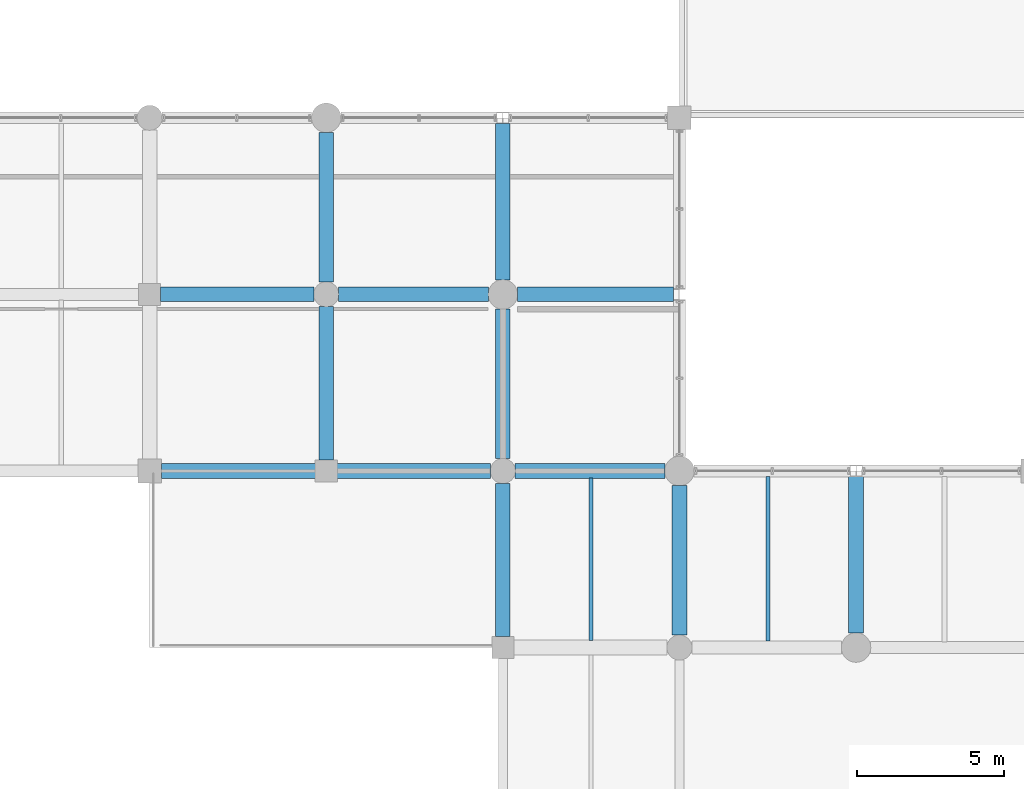
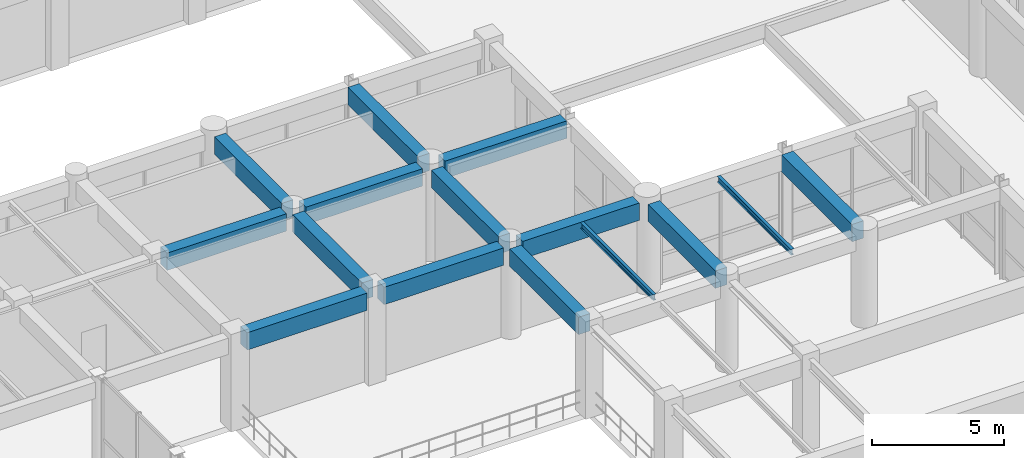
# One storey, part 70 of 133: 15 beams.
"""IFC4 building model written with IfcOpenShell, lengths in metres."""

from ifc_helpers import new_model, si_unit, direction, frame, origin, origin_2d, place, context, subcontext, project, spatial, rectangle, i_section, extrude, material, material_profile, profile_set, type_object, element, save


model = new_model("IFC4")

# Units and contexts
model_context = context("Model", 3, precision=1e-05, world=origin(), true_north=direction((0.0, 1.0)))
body_context = subcontext(model_context, "Body", "Model", "MODEL_VIEW")
ifc_project = project(units=[si_unit("LENGTHUNIT", "METRE"), si_unit("AREAUNIT", "SQUARE_METRE"), si_unit("VOLUMEUNIT", "CUBIC_METRE"), si_unit("PLANEANGLEUNIT", "RADIAN"), si_unit("MASSUNIT", "GRAM", prefix="KILO"), si_unit("THERMODYNAMICTEMPERATUREUNIT", "KELVIN"), si_unit("POWERUNIT", "WATT")], contexts=[model_context])

# Site, building, storey
site_placement = place(None, origin())
site = spatial("IfcSite", under=ifc_project, at=site_placement, CompositionType="ELEMENT")
building_placement = place(site_placement, origin())
building = spatial("IfcBuilding", under=site, at=building_placement, Name="Phaisarnlok Congress Hotel", CompositionType="ELEMENT")
storey_placement = place(building_placement, frame((0.0, 0.0, 6.0)))
storey = spatial("IfcBuildingStorey", under=building, at=storey_placement, Name="L01", CompositionType="ELEMENT", Elevation=6.0)

# Beams
ifc_material_1 = material(Name="Concrete C40/50", Category="concrete")
ifc_material_profile_1 = material_profile(ifc_material_1, rectangle(XDim=0.5, YDim=0.800048828125, at=origin_2d()), Name="RC 500x800")
ifc_profile_set_1 = profile_set([ifc_material_profile_1], Name="Concrete C40/50")
beam_type_1 = type_object("IfcBeamType", Name="BM-RC-500x800", PredefinedType="BEAM", material=ifc_profile_set_1)
beam_1_placement = place(storey_placement, frame((126.39501953125, 84.0, 3.820068359375), z_axis=(1.0, 0.0, 0.0), x_axis=(0.0, 1.0, 0.0)))
element("IfcBeam", 1, at=beam_1_placement, inside=storey, type_object=beam_type_1, Name="Beam B-04", PredefinedType="BEAM", context=body_context, shape_type="SweptSolid", body=[
    extrude(rectangle(XDim=0.5, YDim=0.800048828125, at=origin_2d()), origin(), (0.0, 0.0, 1.0), 5.23486328125),
])
for number, where, z_axis, x_axis, name in (
    (2, (126.3701171875, 90.0, 3.860107421875), (1.0, 0.0, 0.0), (0.0, 1.0, 0.0), "Beam B-04"),
    (3, (132.3701171875, 84.0, 3.820068359375), (1.0, 0.0, 0.0), (0.0, 1.0, 0.0), "Beam B-04"),
    (4, (132.0, 84.3701171875, 3.860107421875), (0.0, 1.0, 0.0), (-1.0, 0.0, 0.0), "Beam B-04"),
):
    element("IfcBeam", number, at=place(storey_placement, frame(where, z_axis=z_axis, x_axis=x_axis)), inside=storey, type_object=beam_type_1, Name=name, PredefinedType="BEAM", context=body_context, shape_type="SweptSolid", body=[
        extrude(rectangle(XDim=0.5, YDim=0.800048828125, at=origin_2d()), origin(), (0.0, 0.0, 1.0), 5.2099609375),
    ])
for number, where, z_axis, x_axis, name in (
    (5, (132.419921875, 90.0, 3.860107421875), (1.0, 0.0, 0.0), (0.0, 1.0, 0.0), "Beam B-04"),
    (6, (132.0, 90.419921875, 3.860107421875), (0.0, 1.0, 0.0), (-1.0, 0.0, 0.0), "Beam B-04"),
):
    element("IfcBeam", number, at=place(storey_placement, frame(where, z_axis=z_axis, x_axis=x_axis)), inside=storey, type_object=beam_type_1, Name=name, PredefinedType="BEAM", context=body_context, shape_type="SweptSolid", body=[
        extrude(rectangle(XDim=0.5, YDim=0.800048828125, at=origin_2d()), origin(), (0.0, 0.0, 1.0), 5.0849609375),
    ])
beam_2_placement = place(storey_placement, frame((138.0, 78.3701171875, 3.820068359375), z_axis=(0.0, 1.0, 0.0), x_axis=(-1.0, 0.0, 0.0)))
element("IfcBeam", 7, at=beam_2_placement, inside=storey, type_object=beam_type_1, Name="Beam B-04", PredefinedType="BEAM", context=body_context, shape_type="SweptSolid", body=[
    extrude(rectangle(XDim=0.5, YDim=0.800048828125, at=origin_2d()), origin(), (0.0, 0.0, 1.0), 5.2099609375),
])
for number, where, z_axis, x_axis, name in (
    (8, (138.419921875, 84.0, 3.820068359375), (1.0, 0.0, 0.0), (0.0, 1.0, 0.0), "Beam B-04"),
    (9, (138.0, 84.419921875, 3.860107421875), (0.0, 1.0, 0.0), (-1.0, 0.0, 0.0), "Beam B-04"),
):
    element("IfcBeam", number, at=place(storey_placement, frame(where, z_axis=z_axis, x_axis=x_axis)), inside=storey, type_object=beam_type_1, Name=name, PredefinedType="BEAM", context=body_context, shape_type="SweptSolid", body=[
        extrude(rectangle(XDim=0.5, YDim=0.800048828125, at=origin_2d()), origin(), (0.0, 0.0, 1.0), 5.0849609375),
    ])
beam_3_placement = place(storey_placement, frame((138.4951171875, 90.0, 3.860107421875), z_axis=(1.0, 0.0, 0.0), x_axis=(0.0, 1.0, 0.0)))
element("IfcBeam", 10, at=beam_3_placement, inside=storey, type_object=beam_type_1, Name="Beam B-04", PredefinedType="BEAM", context=body_context, shape_type="SweptSolid", body=[
    extrude(rectangle(XDim=0.5, YDim=0.800048828125, at=origin_2d()), origin(), (0.0, 0.0, 1.0), 5.309326171875),
])
beam_4_placement = place(storey_placement, frame((138.0, 90.4951171875, 3.860107421875), z_axis=(0.0, 1.0, 0.0), x_axis=(-1.0, 0.0, 0.0)))
element("IfcBeam", 11, at=beam_4_placement, inside=storey, type_object=beam_type_1, Name="Beam B-04", PredefinedType="BEAM", context=body_context, shape_type="SweptSolid", body=[
    extrude(rectangle(XDim=0.5, YDim=0.800048828125, at=origin_2d()), origin(), (0.0, 0.0, 1.0), 5.310302734375),
])
beam_5_placement = place(storey_placement, frame((144.0, 78.419921875, 3.820068359375), z_axis=(0.0, 1.0, 0.0), x_axis=(-1.0, 0.0, 0.0)))
element("IfcBeam", 12, at=beam_5_placement, inside=storey, type_object=beam_type_1, Name="Beam B-04", PredefinedType="BEAM", context=body_context, shape_type="SweptSolid", body=[
    extrude(rectangle(XDim=0.5, YDim=0.800048828125, at=origin_2d()), origin(), (0.0, 0.0, 1.0), 5.0849609375),
])
beam_6_placement = place(storey_placement, frame((150.0, 78.4951171875, 3.820068359375), z_axis=(0.0, 1.0, 0.0), x_axis=(-1.0, 0.0, 0.0)))
element("IfcBeam", 13, at=beam_6_placement, inside=storey, type_object=beam_type_1, Name="Beam B-04", PredefinedType="BEAM", context=body_context, shape_type="SweptSolid", body=[
    extrude(rectangle(XDim=0.5, YDim=0.800048828125, at=origin_2d()), origin(), (0.0, 0.0, 1.0), 5.310302734375),
])
ifc_material_2 = material(Name="Steel S355", Category="steel")
ifc_material_profile_2 = material_profile(ifc_material_2, i_section(OverallWidth=0.135009765625, OverallDepth=0.27001953125, WebThickness=0.006591796875, FlangeThickness=0.01025390625, FilletRadius=0.014892578125, at=origin_2d()), Name="IPE 270")
ifc_profile_set_2 = profile_set([ifc_material_profile_2], Name="Steel S355")
beam_type_2 = type_object("IfcBeamType", Name="JS-STL-IPE270", PredefinedType="JOIST", material=ifc_profile_set_2)
beam_7_placement = place(storey_placement, frame((141.0, 78.2451171875, 4.0849609375), z_axis=(0.0, 1.0, 0.0), x_axis=(-1.0, 0.0, 0.0)))
element("IfcBeam", 14, at=beam_7_placement, inside=storey, type_object=beam_type_2, Name="Secondary floor joist J-02", PredefinedType="JOIST", context=body_context, shape_type="SweptSolid", body=[
    extrude(i_section(OverallWidth=0.135009765625, OverallDepth=0.27001953125, WebThickness=0.006591796875, FlangeThickness=0.01025390625, FilletRadius=0.014892578125, at=origin_2d()), origin(), (0.0, 0.0, 1.0), 5.509765625),
])
beam_8_placement = place(storey_placement, frame((147.0, 78.219970703125, 4.0849609375), z_axis=(0.0, 1.0, 0.0), x_axis=(-1.0, 0.0, 0.0)))
element("IfcBeam", 15, at=beam_8_placement, inside=storey, type_object=beam_type_2, Name="Secondary floor joist J-02", PredefinedType="JOIST", context=body_context, shape_type="SweptSolid", body=[
    extrude(i_section(OverallWidth=0.135009765625, OverallDepth=0.27001953125, WebThickness=0.006591796875, FlangeThickness=0.01025390625, FilletRadius=0.014892578125, at=origin_2d()), origin(), (0.0, 0.0, 1.0), 5.5849609375),
])

save(model, "model.ifc")
